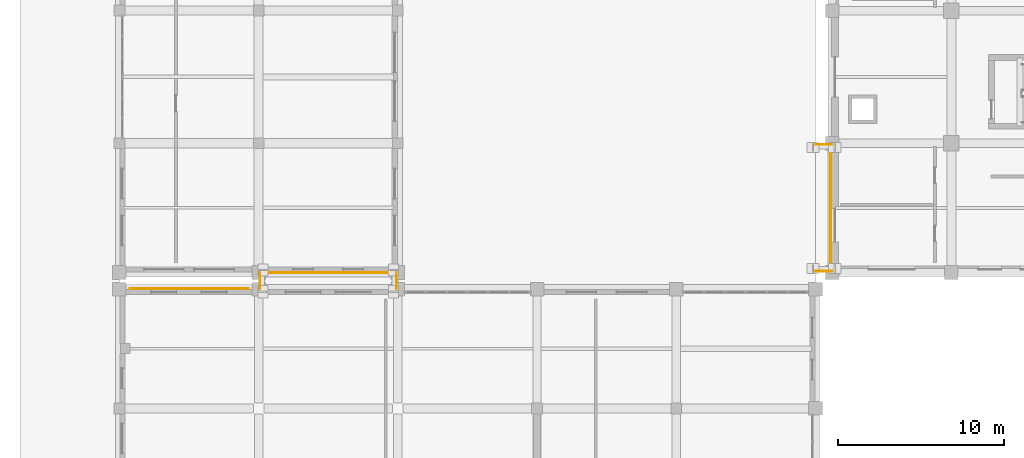
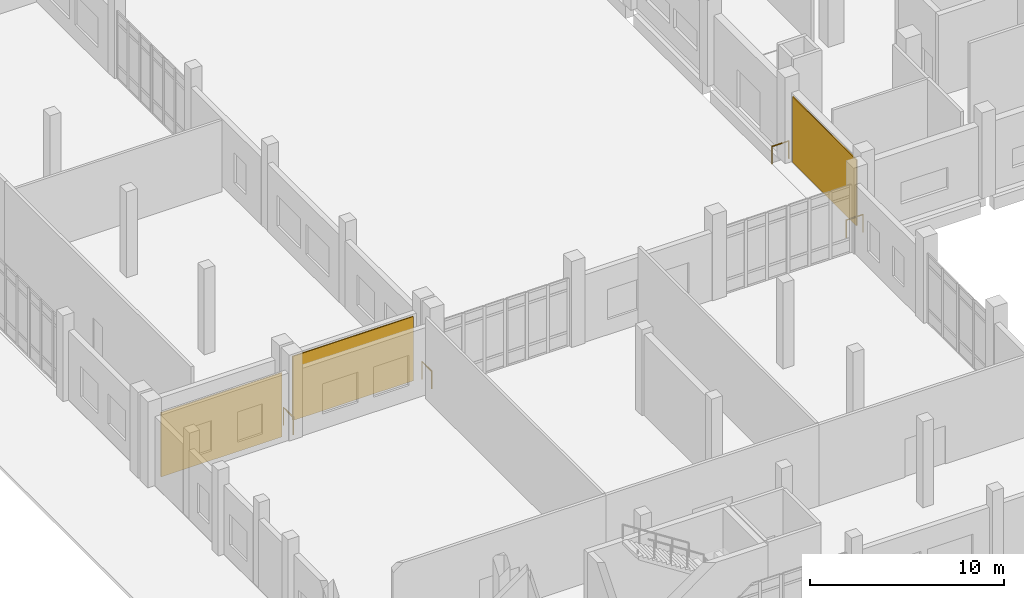
# One storey, part 69 of 79: 4 railings, 3 coverings.
"""IFC4 building model written with IfcOpenShell, lengths in metres."""

import ifcopenshell
import ifcopenshell.guid

model = None  # the IFC model being written
_history = None  # IfcOwnerHistory: only IFC2X3 demands one
_inside = {}  # id of a spatial element -> (the spatial element, [elements in it])
_under = {}  # id of a project, library or spatial element -> (it, [spatial elements below it])
_declared = {}  # id of a project -> (the project, [libraries it declares])
_typed = {}  # id of a type object -> (the type object, [elements of that type])
_made_of = {}  # id of a material, layer set ... -> (it, [elements and type objects made of it])


def new_model(schema):
    """Start an empty IFC model of exactly this schema.

    Asked for "IFC4X3", IfcOpenShell would pick the latest addendum, in which some entities
    have other attributes; the version numbers below select the first issue.
    IFC2X3 requires an IfcOwnerHistory on every rooted entity: one is made here for all.
    """
    global model, _history
    if schema == "IFC4X3":
        model = ifcopenshell.file(schema_version=(4, 3, 0, 0))
    else:
        model = ifcopenshell.file(schema=schema)
    _inside.clear()
    _under.clear()
    _declared.clear()
    _typed.clear()
    _made_of.clear()
    _history = None
    if model.schema == "IFC2X3":
        org = make("IfcOrganization", Name="unknown")
        user = make(
            "IfcPersonAndOrganization",
            ThePerson=make("IfcPerson", FamilyName="unknown"),
            TheOrganization=org,
        )
        app = make(
            "IfcApplication",
            ApplicationDeveloper=org,
            Version="unknown",
            ApplicationFullName="unknown",
            ApplicationIdentifier="unknown",
        )
        _history = make(
            "IfcOwnerHistory",
            OwningUser=user,
            OwningApplication=app,
            ChangeAction="ADDED",
            CreationDate=0,
        )
    return model


def make(cls, **values):
    """One entity of the class cls with the attributes given. An attribute that is None is left unset."""
    return model.create_entity(
        cls, **{name: value for name, value in values.items() if value is not None}
    )


def rooted(cls, **values):
    """An entity with a GlobalId (a new one), such as an element, a storey or a relation."""
    return make(cls, GlobalId=ifcopenshell.guid.new(), OwnerHistory=_history, **values)


def si_unit(unit_type, name, prefix=None):
    """IfcSIUnit, for example si_unit("LENGTHUNIT", "METRE", prefix="MILLI")."""
    return make("IfcSIUnit", UnitType=unit_type, Prefix=prefix, Name=name)


def assignment(units):
    """IfcUnitAssignment: the units of a project."""
    return None if units is None else make("IfcUnitAssignment", Units=units)


def point(xyz):
    """IfcCartesianPoint."""
    return None if xyz is None else make("IfcCartesianPoint", Coordinates=xyz)


def direction(xyz):
    """IfcDirection."""
    return None if xyz is None else make("IfcDirection", DirectionRatios=xyz)


def frame(location, z_axis=None, x_axis=None):
    """IfcAxis2Placement3D, a coordinate frame: its origin and axes. An axis left out is left unset."""
    return make(
        "IfcAxis2Placement3D",
        Location=point(location),
        Axis=direction(z_axis),
        RefDirection=direction(x_axis),
    )


def frame_2d(location, x_axis=None):
    """IfcAxis2Placement2D, a coordinate frame in the plane: its origin and x axis."""
    return make(
        "IfcAxis2Placement2D", Location=point(location), RefDirection=direction(x_axis)
    )


def origin():
    """The frame at (0, 0, 0) with its axes left unset."""
    return frame((0.0, 0.0, 0.0))


def origin_2d():
    """The frame at (0, 0) in the plane with its x axis left unset."""
    return frame_2d((0.0, 0.0))


def place(relative_to, where):
    """IfcLocalPlacement: puts the frame where relative to a parent placement (None: the world)."""
    return make(
        "IfcLocalPlacement", PlacementRelTo=relative_to, RelativePlacement=where
    )


def context(
    kind, dimensions, precision=None, world=None, true_north=None, identifier=None
):
    """IfcGeometricRepresentationContext, for example the 3D "Model" context."""
    return make(
        "IfcGeometricRepresentationContext",
        ContextIdentifier=identifier,
        ContextType=kind,
        CoordinateSpaceDimension=dimensions,
        Precision=precision,
        WorldCoordinateSystem=world,
        TrueNorth=true_north,
    )


def subcontext(parent, identifier, kind, view, scale=None):
    """IfcGeometricRepresentationSubContext, for example "Body" below "Model"."""
    return make(
        "IfcGeometricRepresentationSubContext",
        ContextIdentifier=identifier,
        ContextType=kind,
        ParentContext=parent,
        TargetScale=scale,
        TargetView=view,
    )


def project(units=None, contexts=None):
    """IfcProject with its units and contexts."""
    return rooted(
        "IfcProject",
        Name="project",
        RepresentationContexts=contexts,
        UnitsInContext=assignment(units),
    )


def spatial(cls, under=None, at=None, **own):
    """A site, building, storey or space (cls), placed at a placement, below another one or the project."""
    s = rooted(cls, ObjectPlacement=at, **own)
    if under is not None:
        _under.setdefault(under.id(), (under, []))[1].append(s)
    return s


def profile(cls, at=None, kind="AREA", **sizes):
    """A parametric profile (cls). Its sizes go by their IFC names, for example OverallWidth=200.0."""
    return make(cls, ProfileType=kind, Position=at, **sizes)


def rectangle(**sizes):
    """IfcRectangleProfileDef."""
    return profile("IfcRectangleProfileDef", **sizes)


def circle(**sizes):
    """IfcCircleProfileDef."""
    return profile("IfcCircleProfileDef", **sizes)


def extrude(swept, where, along, depth):
    """IfcExtrudedAreaSolid: the profile swept, set in the frame where, extruded along a direction by depth."""
    return make(
        "IfcExtrudedAreaSolid",
        SweptArea=swept,
        Position=where,
        ExtrudedDirection=direction(along),
        Depth=depth,
    )


def shape(context_of_items, identifier, shape_type, items):
    """IfcShapeRepresentation: the items that make up one representation, for example the "Body"."""
    return make(
        "IfcShapeRepresentation",
        ContextOfItems=context_of_items,
        RepresentationIdentifier=identifier,
        RepresentationType=shape_type,
        Items=items,
    )


def material(Name=None, Category=None):
    """IfcMaterial."""
    return make("IfcMaterial", Name=Name, Category=Category)


def layer(
    of_material, thickness, ventilated=None, Name=None, Category=None, Priority=None
):
    """IfcMaterialLayer: one layer of a wall or slab, of a material (None: an air gap)."""
    return make(
        "IfcMaterialLayer",
        Material=of_material,
        LayerThickness=thickness,
        IsVentilated=ventilated,
        Name=Name,
        Category=Category,
        Priority=Priority,
    )


def layer_set(layers, Name=None):
    """IfcMaterialLayerSet."""
    return make("IfcMaterialLayerSet", MaterialLayers=layers, LayerSetName=Name)


def made_of(thing, what):
    """Note that an element or type object is made of a material, layer set ...; save() writes the relation."""
    if what is not None:
        _made_of.setdefault(what.id(), (what, []))[1].append(thing)
    return thing


def type_object(cls, material=None, **own):
    """A type object (cls), such as IfcWallType, which elements share."""
    return made_of(rooted(cls, **own), material)


def element(
    cls,
    number,
    at=None,
    inside=None,
    cuts=None,
    type_object=None,
    material=None,
    context=None,
    identifier="Body",
    shape_type=None,
    held_by="IfcProductDefinitionShape",
    body=None,
    shapes=None,
    **own,
):
    """One element of the class cls, such as IfcWall. Its Tag is "e" and its number.

    at: its placement. inside: the storey or other place that contains it. cuts: it is an
    opening in that element (IfcRelVoidsElement). A single representation is given by context,
    identifier, shape_type and body (its items); several are given by shapes. held_by: the class
    of the entity that holds the representations. save() writes the other relations.
    """
    e = rooted(cls, Tag="e%d" % number, ObjectPlacement=at, **own)
    if body is not None:
        shapes = [shape(context, identifier, shape_type, body)]
    if shapes is not None:
        e.Representation = make(held_by, Representations=shapes)
    if inside is not None:
        _inside.setdefault(inside.id(), (inside, []))[1].append(e)
    if cuts is not None:
        rooted(
            "IfcRelVoidsElement", RelatingBuildingElement=cuts, RelatedOpeningElement=e
        )
    if type_object is not None:
        _typed.setdefault(type_object.id(), (type_object, []))[1].append(e)
    return made_of(e, material)


def aggregate(whole, parts):
    """IfcRelAggregates: a whole, such as a stair, and the parts it consists of."""
    return rooted("IfcRelAggregates", RelatingObject=whole, RelatedObjects=parts)


def save(model, path):
    """Write the relations noted so far, then the file.

    IfcRelAggregates (storeys below a building ...), IfcRelContainedInSpatialStructure (elements
    in a storey), IfcRelDefinesByType, IfcRelAssociatesMaterial and IfcRelDeclares: one each for
    every whole, place, type object, material and project.
    """
    for whole, parts in _under.values():
        aggregate(whole, parts)
    for where, things in _inside.values():
        rooted(
            "IfcRelContainedInSpatialStructure",
            RelatedElements=things,
            RelatingStructure=where,
        )
    for kind, things in _typed.values():
        rooted("IfcRelDefinesByType", RelatedObjects=things, RelatingType=kind)
    for what, things in _made_of.values():
        rooted("IfcRelAssociatesMaterial", RelatedObjects=things, RelatingMaterial=what)
    for by, libraries in _declared.values():
        rooted("IfcRelDeclares", RelatingContext=by, RelatedDefinitions=libraries)
    model.write(path)


model = new_model("IFC4")

# Units and contexts
model_context = context("Model", 3, precision=1e-05, world=origin(), true_north=direction((0.0, 1.0)))
body_context = subcontext(model_context, "Body", "Model", "MODEL_VIEW")
ifc_project = project(units=[si_unit("LENGTHUNIT", "METRE"), si_unit("AREAUNIT", "SQUARE_METRE"), si_unit("VOLUMEUNIT", "CUBIC_METRE"), si_unit("PLANEANGLEUNIT", "RADIAN"), si_unit("MASSUNIT", "GRAM", prefix="KILO")], contexts=[model_context])

# Site, building, storey
site_placement = place(None, origin())
site = spatial("IfcSite", under=ifc_project, at=site_placement, CompositionType="ELEMENT")
building_placement = place(site_placement, origin())
building = spatial("IfcBuilding", under=site, at=building_placement, Name="Kelarvand Opera House", CompositionType="ELEMENT")
storey_placement = place(building_placement, origin())
storey = spatial("IfcBuildingStorey", under=building, at=storey_placement, Name="L00", CompositionType="ELEMENT", Elevation=0.0)

# Coverings
ifc_material_1 = material(Name="Azarshahr buff travertine stone panels", Category="masonry")
ifc_layer = layer(ifc_material_1, 0.06005859375, Name="Azarshahr buff travertine stone panels", Category="masonry")
ifc_layer_set = layer_set([ifc_layer], Name="Azarshahr buff travertine stone panels")
covering_type = type_object("IfcCoveringType", Name="Azarshahr Honed Travertine Rainscreen Cladding 60mm", PredefinedType="CLADDING", material=ifc_layer_set)
covering_placement = place(storey_placement, frame((51.93408203125, 42.699951171875, 0.099853515625), z_axis=(0.0, 0.0, 1.0), x_axis=(0.0, 1.0, 0.0)))
element("IfcCovering", 1, at=covering_placement, inside=storey, type_object=covering_type, Name="V2 Travertine Facade Cladding 4", PredefinedType="CLADDING", context=body_context, shape_type="SweptSolid", body=[
    extrude(rectangle(XDim=6.580078125, YDim=0.06005859375, at=origin_2d()), origin(), (0.0, 0.0, 1.0), 4.14208984375),
])
for number, where, z_axis, x_axis, name in (
    (2, (13.199951171875, 37.805908203125, 0.10009765625), (0.0, 0.0, 1.0), (1.0, 0.0, 0.0), "V4 Travertine Facade Cladding 14"),
    (3, (21.60009765625, 38.7939453125, 0.10009765625), (0.0, 0.0, 1.0), (-1.0, 0.0, 0.0), "V4 Travertine Facade Cladding 17"),
):
    element("IfcCovering", number, at=place(storey_placement, frame(where, z_axis=z_axis, x_axis=x_axis)), inside=storey, type_object=covering_type, Name=name, PredefinedType="CLADDING", context=body_context, shape_type="SweptSolid", body=[
        extrude(rectangle(XDim=7.179931640625, YDim=0.06005859375, at=origin_2d()), origin(), (0.0, 0.0, 1.0), 4.0419921875),
    ])

# Railings
ifc_material_2 = material(Name="Laminated safety glass with bronze cap rail", Category="glass")
railing_type = type_object("IfcRailingType", Name="Laminated Glass and Bronze Foyer Balustrade 1120", PredefinedType="BALUSTRADE", material=ifc_material_2)
for number, where, name in (
    (4, (51.0, 38.8798828125, 0.0), "V1 L00 Balustrade 129"),
    (5, (51.0, 46.52001953125, 0.0), "V1 L00 Balustrade 130"),
):
    element("IfcRailing", number, at=place(storey_placement, frame(where)), inside=storey, type_object=railing_type, Name=name, PredefinedType="BALUSTRADE", context=body_context, shape_type="SweptSolid", body=[
        extrude(circle(Radius=0.02392578125, at=origin_2d()), frame((0.0, 0.0, 1.09619140625), z_axis=(1.0, 0.0, 0.0), x_axis=(0.0, 1.0, 0.0)), (0.0, 0.0, 1.0), 1.0),
        extrude(circle(Radius=0.02099609375, at=origin_2d()), origin(), (0.0, 0.0, 1.0), 1.072021484375),
        extrude(circle(Radius=0.02099609375, at=origin_2d()), frame((1.0, 0.0, 0.0)), (0.0, 0.0, 1.0), 1.072021484375),
    ])
for number, where, name in (
    (6, (17.47998046875, 37.800048828125, 0.0), "V1 L00 Balustrade 161"),
    (7, (25.719970703125, 37.800048828125, 0.0), "V1 L00 Balustrade 162"),
):
    element("IfcRailing", number, at=place(storey_placement, frame(where)), inside=storey, type_object=railing_type, Name=name, PredefinedType="BALUSTRADE", context=body_context, shape_type="SweptSolid", body=[
        extrude(circle(Radius=0.02392578125, at=origin_2d()), frame((0.0, 0.0, 1.09619140625), z_axis=(0.0, 1.0, 0.0), x_axis=(-1.0, 0.0, 0.0)), (0.0, 0.0, 1.0), 1.0),
        extrude(circle(Radius=0.02099609375, at=origin_2d()), origin(), (0.0, 0.0, 1.0), 1.072021484375),
        extrude(circle(Radius=0.02099609375, at=origin_2d()), frame((0.0, 1.0, 0.0)), (0.0, 0.0, 1.0), 1.072021484375),
    ])

save(model, "model.ifc")
